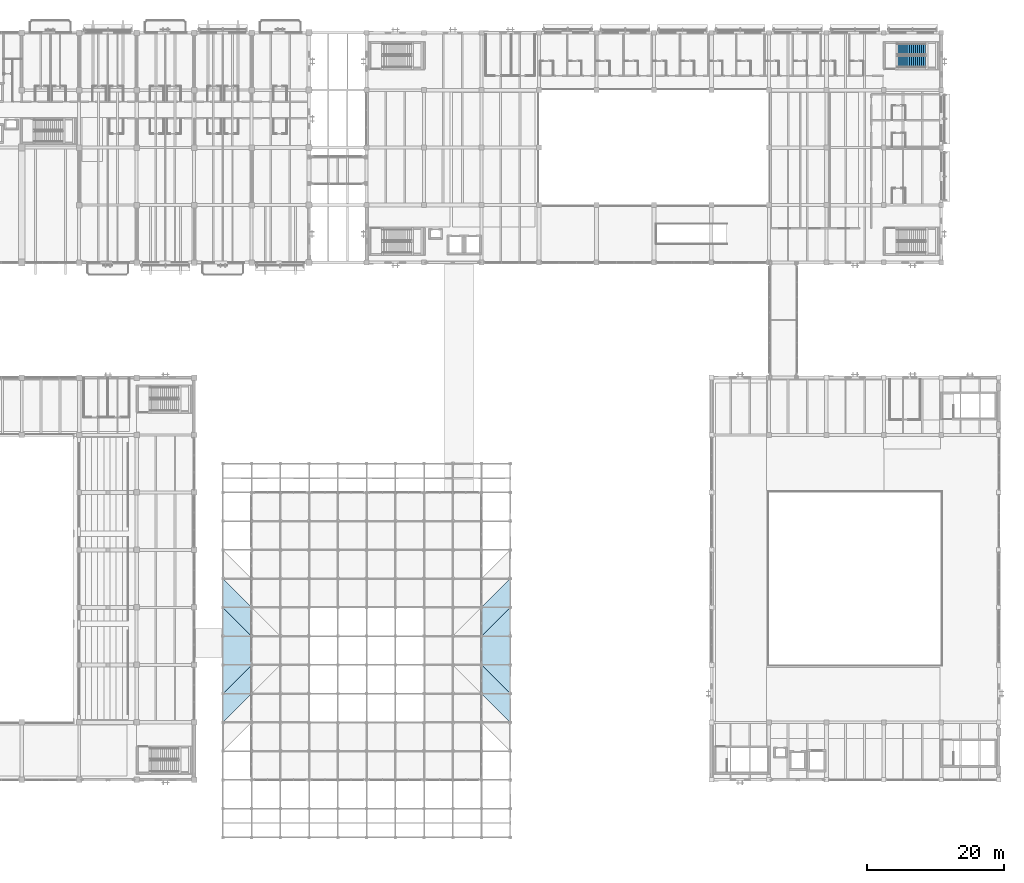
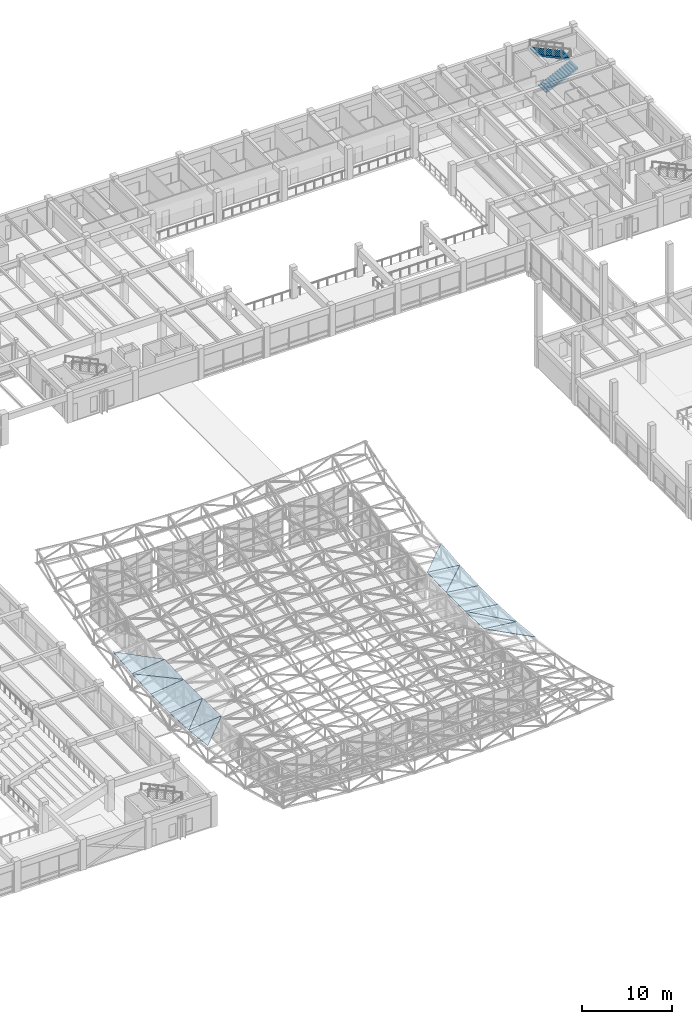
# One storey, part 100 of 132: 14 roofs, 2 stair flights, 1 element without a shape of its own.
"""IFC4 building model written with IfcOpenShell, lengths in metres."""

from ifc_helpers import new_model, si_unit, direction, frame, origin, place, context, subcontext, project, spatial, polyline, outline, extrude, material, layer, layer_set, type_object, element, aggregate, save


model = new_model("IFC4")

# Units and contexts
model_context = context("Model", 3, precision=1e-05, world=origin(), true_north=direction((0.0, 1.0)))
body_context = subcontext(model_context, "Body", "Model", "MODEL_VIEW")
ifc_project = project(units=[si_unit("LENGTHUNIT", "METRE"), si_unit("AREAUNIT", "SQUARE_METRE"), si_unit("VOLUMEUNIT", "CUBIC_METRE"), si_unit("PLANEANGLEUNIT", "RADIAN"), si_unit("MASSUNIT", "GRAM", prefix="KILO")], contexts=[model_context])

# Site, building, storey
site_placement = place(None, origin())
site = spatial("IfcSite", under=ifc_project, at=site_placement, CompositionType="ELEMENT")
building_placement = place(site_placement, origin())
building = spatial("IfcBuilding", under=site, at=building_placement, Name="Cumbredor Promenade Congress Hotel", CompositionType="ELEMENT")
storey_placement = place(building_placement, frame((0.0, 0.0, 7.56005859375)))
storey = spatial("IfcBuildingStorey", under=building, at=storey_placement, Name="L02", CompositionType="ELEMENT", Elevation=7.56005859375)

# Stair, stair flights
ifc_material_1 = material(Name="Concrete C40/50", Category="concrete")
stair_type = type_object("IfcStairType", Name="Protected Dog-Leg Exit Stair ST-T3 1650mm", PredefinedType="HALF_TURN_STAIR", material=ifc_material_1)
stair_placement = place(storey_placement, origin())
stair = element("IfcStair", 1, at=stair_placement, inside=storey, type_object=stair_type, Name="L02 Protected Exit Stair ST-16", PredefinedType="HALF_TURN_STAIR")
stair_flight_type = type_object("IfcStairFlightType", Name="Concrete Stair Flight SFL-T3 1650mm", PredefinedType="STRAIGHT", material=ifc_material_1)
stair_flight_1_placement = place(storey_placement, frame((169.919921875, 113.375, 0.0), z_axis=(0.0, 0.0, 1.0), x_axis=(1.0, 0.0, 0.0)))
stair_flight_1 = element("IfcStairFlight", 2, at=stair_flight_1_placement, type_object=stair_flight_type, Name="ST-16 flight 1", NumberOfRisers=15, NumberOfTreads=14, PredefinedType="STRAIGHT", RiserHeight=0.14, TreadLength=0.3, context=body_context, shape_type="SweptSolid", body=[
    extrude(outline(polyline([(0.0, 0.0), (0.0, 0.139892578125), (0.300048828125, 0.139892578125), (0.300048828125, 0.280029296875), (0.60009765625, 0.280029296875), (0.60009765625, 0.419921875), (0.89990234375, 0.419921875), (0.89990234375, 0.56005859375), (1.199951171875, 0.56005859375), (1.199951171875, 0.699951171875), (1.5, 0.699951171875), (1.5, 0.840087890625), (1.800048828125, 0.840087890625), (1.800048828125, 0.97998046875), (2.10009765625, 0.97998046875), (2.10009765625, 1.1201171875), (2.39990234375, 1.1201171875), (2.39990234375, 1.260009765625), (2.699951171875, 1.260009765625), (2.699951171875, 1.39990234375), (3.0, 1.39990234375), (3.0, 1.5400390625), (3.300048828125, 1.5400390625), (3.300048828125, 1.679931640625), (3.60009765625, 1.679931640625), (3.60009765625, 1.820068359375), (3.89990234375, 1.820068359375), (3.89990234375, 1.9599609375), (4.199951171875, 1.9599609375), (4.199951171875, 2.10009765625), (4.199951171875, 1.761474609375), (0.425537109375, 0.0), (0.0, 0.0)])), frame((0.0, 0.824951171875, 0.0), z_axis=(0.0, -1.0, 0.0), x_axis=(1.0, 0.0, 0.0)), (0.0, 0.0, 1.0), 1.64990234375),
])
stair_flight_2_placement = place(storey_placement, frame((174.1201171875, 115.175048828125, 2.099853515625), z_axis=(0.0, 0.0, 1.0), x_axis=(-1.0, 0.0, 0.0)))
stair_flight_2 = element("IfcStairFlight", 3, at=stair_flight_2_placement, type_object=stair_flight_type, Name="ST-16 flight 2", NumberOfRisers=15, NumberOfTreads=14, PredefinedType="STRAIGHT", RiserHeight=0.14, TreadLength=0.3, context=body_context, shape_type="SweptSolid", body=[
    extrude(outline(polyline([(0.0, 0.0), (0.0, 0.139892578125), (0.300048828125, 0.139892578125), (0.300048828125, 0.280029296875), (0.60009765625, 0.280029296875), (0.60009765625, 0.419921875), (0.89990234375, 0.419921875), (0.89990234375, 0.56005859375), (1.199951171875, 0.56005859375), (1.199951171875, 0.699951171875), (1.5, 0.699951171875), (1.5, 0.840087890625), (1.800048828125, 0.840087890625), (1.800048828125, 0.97998046875), (2.10009765625, 0.97998046875), (2.10009765625, 1.1201171875), (2.39990234375, 1.1201171875), (2.39990234375, 1.260009765625), (2.699951171875, 1.260009765625), (2.699951171875, 1.39990234375), (3.0, 1.39990234375), (3.0, 1.5400390625), (3.300048828125, 1.5400390625), (3.300048828125, 1.679931640625), (3.60009765625, 1.679931640625), (3.60009765625, 1.820068359375), (3.89990234375, 1.820068359375), (3.89990234375, 1.9599609375), (4.199951171875, 1.9599609375), (4.199951171875, 2.10009765625), (4.199951171875, 1.761474609375), (0.425537109375, 0.0), (0.0, 0.0)])), frame((0.0, 0.824951171875, 0.0), z_axis=(0.0, -1.0, 0.0), x_axis=(1.0, 0.0, 0.0)), (0.0, 0.0, 1.0), 1.64990234375),
])
aggregate(stair, [stair_flight_1, stair_flight_2])

# Roofs
ifc_material_2 = material(Name="Standing-seam zinc-aluminium roofing", Category="aluminium")
ifc_layer = layer(ifc_material_2, 0.050048828125, Name="Standing-seam zinc-aluminium roofing", Category="aluminium")
ifc_layer_set = layer_set([ifc_layer], Name="Standing-seam zinc-aluminium roofing")
roof_type = type_object("IfcRoofType", Name="Sweeping Pavilion Standing-Seam Roof Skin 50mm", PredefinedType="FREEFORM", material=ifc_layer_set)
roof_1_placement = place(storey_placement, frame((71.39990234375, 16.800048828125, 4.185302734375), z_axis=(-0.114839908372, 0.104682661268, 0.987852891819), x_axis=(0.707108619571, 0.707067518164, 0.007274949178)))
element("IfcRoof", 4, at=roof_1_placement, inside=storey, type_object=roof_type, Name="Thermal Spa and Hydrotherapy Pavilion Standing-Seam Roof Skin 1.5.2", PredefinedType="FREEFORM", context=body_context, shape_type="SweptSolid", body=[
    extrude(outline(polyline([(0.0, 0.0), (5.939957732441985, -5.681219383824043e-16), (2.966411201811016, 3.0063400127765094), (0.0, 0.0)])), origin(), (0.0, 0.0, -1.0), 0.050048828125),
])
roof_2_placement = place(storey_placement, frame((71.39990234375, 21.0, 3.740234375), z_axis=(-0.115373871011, 0.041710078811, 0.992446038439), x_axis=(0.993310460907, 0.0, 0.115474361882)))
element("IfcRoof", 5, at=roof_2_placement, inside=storey, type_object=roof_type, Name="Thermal Spa and Hydrotherapy Pavilion Standing-Seam Roof Skin 1.6.1", PredefinedType="FREEFORM", context=body_context, shape_type="SweptSolid", body=[
    extrude(outline(polyline([(0.0, 0.0), (4.228481907522904, -3.469446951953614e-18), (4.208099103899722, 4.203609337677497), (0.0, 0.0)])), origin(), (0.0, 0.0, -1.0), 0.050048828125),
])
roof_3_placement = place(storey_placement, frame((71.39990234375, 21.0, 3.740234375), z_axis=(-0.12598976481, 0.052460396545, 0.990643470658), x_axis=(0.706155279951, 0.706114233957, 0.052415734277)))
element("IfcRoof", 6, at=roof_3_placement, inside=storey, type_object=roof_type, Name="Thermal Spa and Hydrotherapy Pavilion Standing-Seam Roof Skin 1.6.2", PredefinedType="FREEFORM", context=body_context, shape_type="SweptSolid", body=[
    extrude(outline(polyline([(0.0, 0.0), (5.947976927666338, -1.8735013540549517e-16), (2.953987410361775, 2.9938295495827685), (0.0, 0.0)])), origin(), (0.0, 0.0, -1.0), 0.050048828125),
])
roof_4_placement = place(storey_placement, frame((71.39990234375, 25.199951171875, 3.517822265625), z_axis=(-0.126163491264, 0.0, 0.99200946239), x_axis=(0.99200946239, 0.0, 0.126163491264)))
element("IfcRoof", 7, at=roof_4_placement, inside=storey, type_object=roof_type, Name="Thermal Spa and Hydrotherapy Pavilion Standing-Seam Roof Skin 1.7", PredefinedType="FREEFORM", context=body_context, shape_type="SweptSolid", body=[
    extrude(outline(polyline([(0.0, 0.0), (4.234027468225091, 0.0), (4.234027468225091, 4.199951171875), (0.0, 4.199951171875), (0.0, 0.0)])), origin(), (0.0, 0.0, -1.0), 0.050048828125),
])
roof_5_placement = place(storey_placement, frame((71.39990234375, 29.39990234375, 3.517822265625), z_axis=(-0.125989784964, -0.052457355623, 0.990643629125), x_axis=(0.99200946239, 0.0, 0.126163491264)))
element("IfcRoof", 8, at=roof_5_placement, inside=storey, type_object=roof_type, Name="Thermal Spa and Hydrotherapy Pavilion Standing-Seam Roof Skin 1.8.1", PredefinedType="FREEFORM", context=body_context, shape_type="SweptSolid", body=[
    extrude(outline(polyline([(0.0, 0.0), (4.234027468225091, -3.469446951953614e-18), (0.028060288218195666, 4.205986261243457), (0.0, 0.0)])), origin(), (0.0, 0.0, -1.0), 0.050048828125),
])
roof_6_placement = place(storey_placement, frame((75.60009765625, 29.39990234375, 4.052001953125), z_axis=(-0.115373882678, -0.041707658588, 0.992446138796), x_axis=(0.0, 0.999118113007, 0.041988049041)))
element("IfcRoof", 9, at=roof_6_placement, inside=storey, type_object=roof_type, Name="Thermal Spa and Hydrotherapy Pavilion Standing-Seam Roof Skin 1.8.2", PredefinedType="FREEFORM", context=body_context, shape_type="SweptSolid", body=[
    extrude(outline(polyline([(0.0, 0.0), (4.20390267959497, 3.469446951953614e-18), (4.183400702524102, 4.228432204870349), (0.0, 0.0)])), origin(), (0.0, 0.0, -1.0), 0.050048828125),
])
roof_7_placement = place(storey_placement, frame((71.39990234375, 33.60009765625, 3.740234375), z_axis=(-0.114839908372, -0.104682661268, 0.987852891819), x_axis=(0.993310460907, 0.0, 0.115474361882)))
element("IfcRoof", 10, at=roof_7_placement, inside=storey, type_object=roof_type, Name="Thermal Spa and Hydrotherapy Pavilion Standing-Seam Roof Skin 1.9.1", PredefinedType="FREEFORM", context=body_context, shape_type="SweptSolid", body=[
    extrude(outline(polyline([(0.0, 0.0), (4.228481907522904, -6.938893903907228e-18), (0.05139398479261369, 4.22315454950184), (0.0, 0.0)])), origin(), (0.0, 0.0, -1.0), 0.050048828125),
])
roof_8_placement = place(storey_placement, frame((113.39990234375, 16.800048828125, 4.185302734375), z_axis=(0.1148464959, 0.104682581013, 0.987852134488), x_axis=(0.0, 0.994432042203, -0.105379853103)))
element("IfcRoof", 11, at=roof_8_placement, inside=storey, type_object=roof_type, Name="Thermal Spa and Hydrotherapy Pavilion Standing-Seam Roof Skin 10.5.2", PredefinedType="FREEFORM", context=body_context, shape_type="SweptSolid", body=[
    extrude(outline(polyline([(0.0, 0.0), (4.223467259332188, 6.938893903907228e-18), (4.172012252934095, 4.227926301102269), (0.0, 0.0)])), origin(), (0.0, 0.0, -1.0), 0.050048828125),
])
roof_9_placement = place(storey_placement, frame((109.199951171875, 21.0, 4.228515625), z_axis=(0.115380488344, 0.041710046537, 0.992445270495), x_axis=(0.993309690955, 0.0, -0.115480984823)))
element("IfcRoof", 12, at=roof_9_placement, inside=storey, type_object=roof_type, Name="Thermal Spa and Hydrotherapy Pavilion Standing-Seam Roof Skin 10.6.1", PredefinedType="FREEFORM", context=body_context, shape_type="SweptSolid", body=[
    extrude(outline(polyline([(0.0, 0.0), (4.228239400180144, 3.469446951953614e-18), (0.020383972662839946, 4.203609332008799), (0.0, 0.0)])), origin(), (0.0, 0.0, -1.0), 0.050048828125),
])
roof_10_placement = place(storey_placement, frame((113.39990234375, 21.0, 3.740234375), z_axis=(0.125996972257, 0.052460348138, 0.990642556554), x_axis=(0.0, 0.998600779613, -0.052881782842)))
element("IfcRoof", 13, at=roof_10_placement, inside=storey, type_object=roof_type, Name="Thermal Spa and Hydrotherapy Pavilion Standing-Seam Roof Skin 10.6.2", PredefinedType="FREEFORM", context=body_context, shape_type="SweptSolid", body=[
    extrude(outline(polyline([(0.0, 0.0), (4.205836063439803, 0.0), (4.177587689206932, 4.233691039037329), (0.0, 0.0)])), origin(), (0.0, 0.0, -1.0), 0.050048828125),
])
roof_11_placement = place(storey_placement, frame((109.199951171875, 25.199951171875, 4.052001953125), z_axis=(0.126170708328, 0.0, 0.9920085445), x_axis=(0.9920085445, 0.0, -0.126170708328)))
element("IfcRoof", 14, at=roof_11_placement, inside=storey, type_object=roof_type, Name="Thermal Spa and Hydrotherapy Pavilion Standing-Seam Roof Skin 10.7", PredefinedType="FREEFORM", context=body_context, shape_type="SweptSolid", body=[
    extrude(outline(polyline([(0.0, 0.0), (4.233785278526981, 0.0), (4.233785278526981, 4.199951171875), (0.0, 4.199951171875), (0.0, 0.0)])), origin(), (0.0, 0.0, -1.0), 0.050048828125),
])
roof_12_placement = place(storey_placement, frame((109.199951171875, 29.39990234375, 4.052001953125), z_axis=(0.125996992412, -0.052457307218, 0.99064271502), x_axis=(0.9920085445, 0.0, -0.126170708328)))
element("IfcRoof", 15, at=roof_12_placement, inside=storey, type_object=roof_type, Name="Thermal Spa and Hydrotherapy Pavilion Standing-Seam Roof Skin 10.8.1", PredefinedType="FREEFORM", context=body_context, shape_type="SweptSolid", body=[
    extrude(outline(polyline([(0.0, 0.0), (4.233785278526981, 6.938893903907228e-18), (4.205723385146434, 4.205986250534291), (0.0, 0.0)])), origin(), (0.0, 0.0, -1.0), 0.050048828125),
])
roof_13_placement = place(storey_placement, frame((109.199951171875, 29.39990234375, 4.052001953125), z_axis=(0.115380500012, -0.041707626315, 0.992445370851), x_axis=(0.706114233957, 0.706155279951, -0.052415734277)))
element("IfcRoof", 16, at=roof_13_placement, inside=storey, type_object=roof_type, Name="Thermal Spa and Hydrotherapy Pavilion Standing-Seam Roof Skin 10.8.2", PredefinedType="FREEFORM", context=body_context, shape_type="SweptSolid", body=[
    extrude(outline(polyline([(0.0, 0.0), (5.947976927666338, 5.48172618408671e-16), (2.9567380030272887, 2.988393903246353), (0.0, 0.0)])), origin(), (0.0, 0.0, -1.0), 0.050048828125),
])
roof_14_placement = place(storey_placement, frame((109.199951171875, 33.60009765625, 4.228515625), z_axis=(0.1148464959, -0.104682581013, 0.987852134488), x_axis=(0.993309690955, 0.0, -0.115480984823)))
element("IfcRoof", 17, at=roof_14_placement, inside=storey, type_object=roof_type, Name="Thermal Spa and Hydrotherapy Pavilion Standing-Seam Roof Skin 10.9.1", PredefinedType="FREEFORM", context=body_context, shape_type="SweptSolid", body=[
    extrude(outline(polyline([(0.0, 0.0), (4.228239400180144, -6.938893903907228e-18), (4.176842467725986, 4.223154513629029), (0.0, 0.0)])), origin(), (0.0, 0.0, -1.0), 0.050048828125),
])

save(model, "model.ifc")
